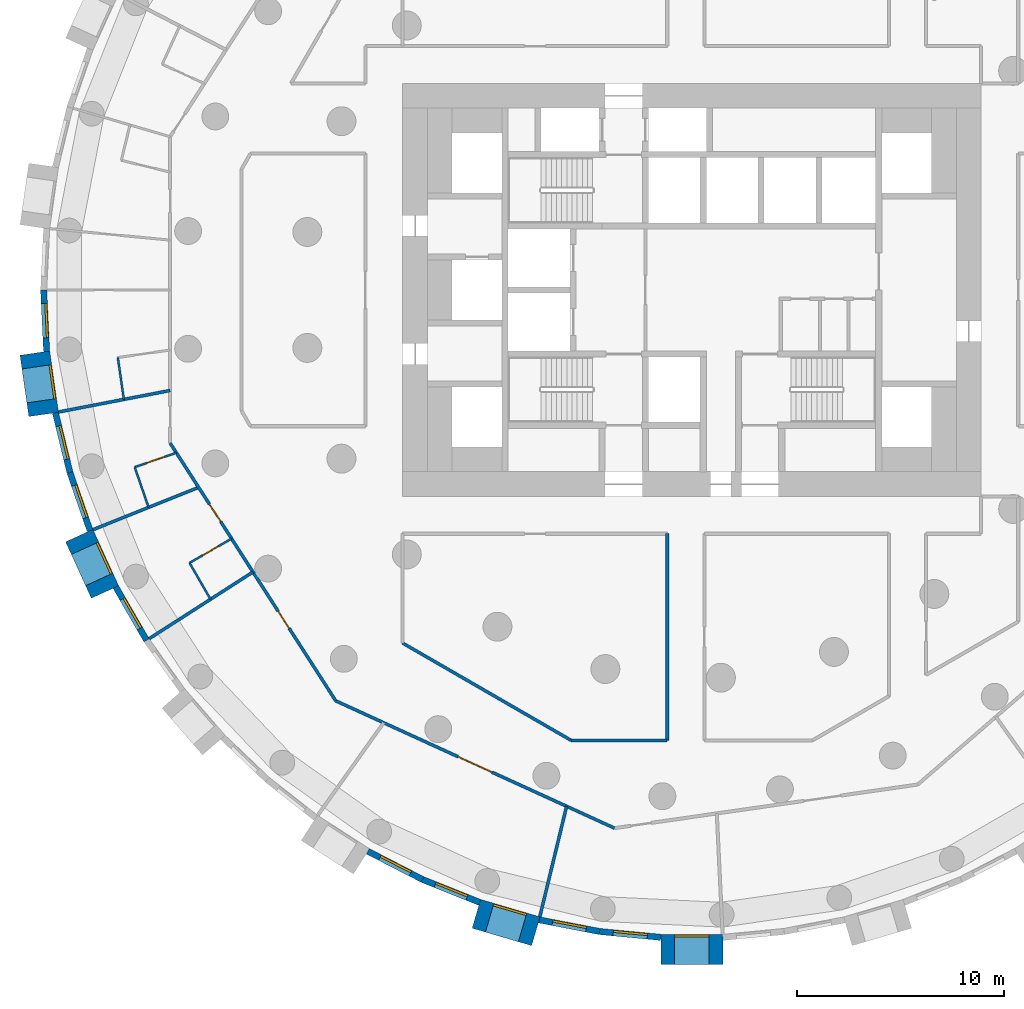
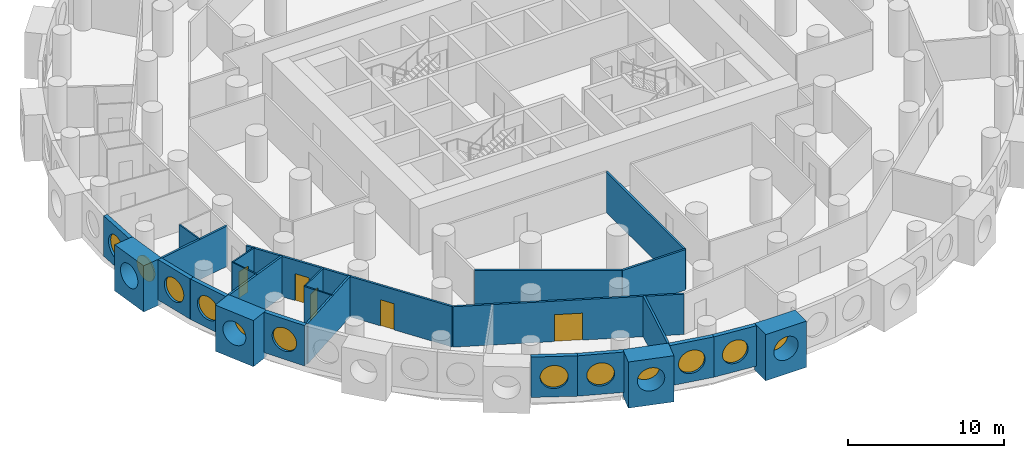
# One storey, part 3 of 12: 27 walls, 12 windows, 5 doors, 17 openings.
"""IFC4 building model written with IfcOpenShell, lengths in metres."""

from ifc_helpers import new_model, si_unit, direction, frame, frame_2d, origin, origin_2d, place, context, subcontext, project, spatial, rectangle, circle, extrude, material, layer, layer_set, type_object, element, fill, save


model = new_model("IFC4")

# Units and contexts
model_context = context("Model", 3, precision=1e-05, world=origin(), true_north=direction((0.0, 1.0)))
body_context = subcontext(model_context, "Body", "Model", "MODEL_VIEW")
ifc_project = project(units=[si_unit("LENGTHUNIT", "METRE"), si_unit("AREAUNIT", "SQUARE_METRE"), si_unit("VOLUMEUNIT", "CUBIC_METRE"), si_unit("PLANEANGLEUNIT", "RADIAN"), si_unit("MASSUNIT", "GRAM", prefix="KILO")], contexts=[model_context])

# Site, building, storey
site_placement = place(None, origin())
site = spatial("IfcSite", under=ifc_project, at=site_placement, CompositionType="ELEMENT")
building_placement = place(site_placement, origin())
building = spatial("IfcBuilding", under=site, at=building_placement, Name="Tracery Tower", CompositionType="ELEMENT")
storey_placement = place(building_placement, frame((0.0, 0.0, 111.0)))
storey = spatial("IfcBuildingStorey", under=building, at=storey_placement, Name="L28", CompositionType="ELEMENT", Elevation=111.0)

# Wall, opening, window
ifc_material_1 = material(Name="Precast concrete C50/60", Category="concrete")
ifc_layer_1 = layer(ifc_material_1, 1.449951171875)
ifc_layer_set_1 = layer_set([ifc_layer_1], Name="Deep-set bay unit 3000 x 3600, slab edge 450")
wall_type_1 = type_object("IfcWallType", Name="Deep-set bay unit 3000 x 3600, slab edge 450", PredefinedType="ELEMENTEDWALL", material=ifc_layer_set_1)
wall_1_placement = place(storey_placement, frame((-31.802490234375, -3.05712890625, -0.449951171875), z_axis=(0.0, 0.0, 1.0), x_axis=(0.142332746704, -0.989818866872, 0.0)))
wall_1 = element("IfcWall", 1, at=wall_1_placement, inside=storey, type_object=wall_type_1, Name="Deep-set bay unit 35 at L28", PredefinedType="ELEMENTEDWALL", context=body_context, shape_type="SweptSolid", body=[
    extrude(rectangle(XDim=3.0, YDim=1.449951171875, at=frame_2d((1.5, 0.0))), origin(), (0.0, 0.0, 1.0), 3.599853515625),
])
opening_1_placement = place(wall_1_placement, frame((1.5, 0.0, 2.0)))
opening_1 = element("IfcOpeningElement", 2, at=opening_1_placement, cuts=wall_1, Name="Opening WN1", PredefinedType="OPENING", context=body_context, shape_type="SweptSolid", body=[
    extrude(circle(Radius=0.9000244140625, at=origin_2d()), frame((0.0, 0.73486328125, 0.0), z_axis=(0.0, -1.0, 0.0), x_axis=(1.0, 0.0, 0.0)), (0.0, 0.0, 1.0), 1.469970703125),
])
ifc_material_2 = material(Name="Aluminium frame with tinted double glazing", Category="aluminium")
window_type = type_object("IfcWindowType", Name="Round window 1800", PartitioningType="SINGLE_PANEL", PredefinedType="WINDOW", material=ifc_material_2)
window_1_placement = place(opening_1_placement, origin())
window_1 = element("IfcWindow", 3, at=window_1_placement, inside=storey, type_object=window_type, Name="Round window 35 at L28", OverallHeight=1.800048828125, OverallWidth=1.800048828125, PartitioningType="SINGLE_PANEL", PredefinedType="WINDOW", context=body_context, shape_type="SweptSolid", body=[
    extrude(circle(Radius=0.9000244140625, at=origin_2d()), frame((0.0, 0.69482421875, 0.0), z_axis=(0.0, -1.0, 0.0), x_axis=(1.0, 0.0, 0.0)), (0.0, 0.0, 1.0), 0.10009765625),
])
fill(opening_1, window_1)

wall_2_placement = place(storey_placement, frame((-29.653076171875, -11.89306640625, -0.449951171875), z_axis=(0.0, 0.0, 1.0), x_axis=(0.415427028395, -0.909626508012, 0.0)))
wall_2 = element("IfcWall", 4, at=wall_2_placement, inside=storey, type_object=wall_type_1, Name="Deep-set bay unit 38 at L28", PredefinedType="ELEMENTEDWALL", context=body_context, shape_type="SweptSolid", body=[
    extrude(rectangle(XDim=3.000244140625, YDim=1.449951171875, at=frame_2d((1.5, 0.0))), origin(), (0.0, 0.0, 1.0), 3.599853515625),
])
opening_2_placement = place(wall_2_placement, frame((1.5, 0.0, 2.0)))
opening_2 = element("IfcOpeningElement", 5, at=opening_2_placement, cuts=wall_2, Name="Opening WN1", PredefinedType="OPENING", context=body_context, shape_type="SweptSolid", body=[
    extrude(circle(Radius=0.9000244140625, at=origin_2d()), frame((0.0, 0.73486328125, 0.0), z_axis=(0.0, -1.0, 0.0), x_axis=(1.0, 0.0, 0.0)), (0.0, 0.0, 1.0), 1.469970703125),
])
window_2_placement = place(opening_2_placement, origin())
window_2 = element("IfcWindow", 6, at=window_2_placement, inside=storey, type_object=window_type, Name="Round window 38 at L28", OverallHeight=1.800048828125, OverallWidth=1.800048828125, PartitioningType="SINGLE_PANEL", PredefinedType="WINDOW", context=body_context, shape_type="SweptSolid", body=[
    extrude(circle(Radius=0.9000244140625, at=origin_2d()), frame((0.0, 0.69482421875, 0.0), z_axis=(0.0, -1.0, 0.0), x_axis=(1.0, 0.0, 0.0)), (0.0, 0.0, 1.0), 0.10009765625),
])
fill(opening_2, window_2)

wall_3_placement = place(storey_placement, frame((-10.430419921875, -30.198486328125, -0.449951171875), z_axis=(0.0, 0.0, 1.0), x_axis=(0.959489813418, -0.281743319258, 0.0)))
wall_3 = element("IfcWall", 7, at=wall_3_placement, inside=storey, type_object=wall_type_1, Name="Deep-set bay unit 47 at L28", PredefinedType="ELEMENTEDWALL", context=body_context, shape_type="SweptSolid", body=[
    extrude(rectangle(XDim=3.0, YDim=1.449951171875, at=frame_2d((1.5, 0.0))), origin(), (0.0, 0.0, 1.0), 3.599853515625),
])
opening_3_placement = place(wall_3_placement, frame((1.5, 0.0, 2.0)))
opening_3 = element("IfcOpeningElement", 8, at=opening_3_placement, cuts=wall_3, Name="Opening WN1", PredefinedType="OPENING", context=body_context, shape_type="SweptSolid", body=[
    extrude(circle(Radius=0.9000244140625, at=origin_2d()), frame((0.0, 0.73486328125, 0.0), z_axis=(0.0, -1.0, 0.0), x_axis=(1.0, 0.0, 0.0)), (0.0, 0.0, 1.0), 1.469970703125),
])
window_3_placement = place(opening_3_placement, origin())
window_3 = element("IfcWindow", 9, at=window_3_placement, inside=storey, type_object=window_type, Name="Round window 47 at L28", OverallHeight=1.800048828125, OverallWidth=1.800048828125, PartitioningType="SINGLE_PANEL", PredefinedType="WINDOW", context=body_context, shape_type="SweptSolid", body=[
    extrude(circle(Radius=0.9000244140625, at=origin_2d()), frame((0.0, 0.69482421875, 0.0), z_axis=(0.0, -1.0, 0.0), x_axis=(1.0, 0.0, 0.0)), (0.0, 0.0, 1.0), 0.10009765625),
])
fill(opening_3, window_3)

wall_4_placement = place(storey_placement, frame((-1.5, -31.913818359375, -0.449951171875), z_axis=(0.0, 0.0, 1.0), x_axis=(1.0, 0.0, 0.0)))
wall_4 = element("IfcWall", 10, at=wall_4_placement, inside=storey, type_object=wall_type_1, Name="Deep-set bay unit 50 at L28", PredefinedType="ELEMENTEDWALL", context=body_context, shape_type="SweptSolid", body=[
    extrude(rectangle(XDim=3.0, YDim=1.449951171875, at=frame_2d((1.5, 0.0))), origin(), (0.0, 0.0, 1.0), 3.599853515625),
])
opening_4_placement = place(wall_4_placement, frame((1.5, 0.0, 2.0)))
opening_4 = element("IfcOpeningElement", 11, at=opening_4_placement, cuts=wall_4, Name="Opening WN1", PredefinedType="OPENING", context=body_context, shape_type="SweptSolid", body=[
    extrude(circle(Radius=0.9000244140625, at=origin_2d()), frame((0.0, 0.73486328125, 0.0), z_axis=(0.0, -1.0, 0.0), x_axis=(1.0, 0.0, 0.0)), (0.0, 0.0, 1.0), 1.469970703125),
])
window_4_placement = place(opening_4_placement, origin())
window_4 = element("IfcWindow", 12, at=window_4_placement, inside=storey, type_object=window_type, Name="Round window 50 at L28", OverallHeight=1.800048828125, OverallWidth=1.800048828125, PartitioningType="SINGLE_PANEL", PredefinedType="WINDOW", context=body_context, shape_type="SweptSolid", body=[
    extrude(circle(Radius=0.9000244140625, at=origin_2d()), frame((0.0, 0.69482421875, 0.0), z_axis=(0.0, -1.0, 0.0), x_axis=(1.0, 0.0, 0.0)), (0.0, 0.0, 1.0), 0.10009765625),
])
fill(opening_4, window_4)

ifc_material_3 = material(Name="Precast concrete C50/60", Category="concrete")
ifc_layer_2 = layer(ifc_material_3, 0.300048828125)
ifc_layer_set_2 = layer_set([ifc_layer_2], Name="Facade panel 3000 x 3150")
wall_type_2 = type_object("IfcWallType", Name="Facade panel 3000 x 3150", PredefinedType="SOLIDWALL", material=ifc_layer_set_2)
wall_5_placement = place(storey_placement, frame((-31.37451171875, 0.0, 0.0), z_axis=(0.0, 0.0, 1.0), x_axis=(0.047604077644, -0.998866283239, 0.0)))
wall_5 = element("IfcWall", 13, at=wall_5_placement, inside=storey, type_object=wall_type_2, Name="Facade panel 34 at L28", PredefinedType="SOLIDWALL", context=body_context, shape_type="SweptSolid", body=[
    extrude(rectangle(XDim=2.979736328125, YDim=0.300048828125, at=frame_2d((1.48974609375, 0.0))), origin(), (0.0, 0.0, 1.0), 3.14990234375),
])
opening_5_placement = place(wall_5_placement, frame((1.48974609375, 0.0, 1.5498046875)))
opening_5 = element("IfcOpeningElement", 14, at=opening_5_placement, cuts=wall_5, Name="Opening WN1", PredefinedType="OPENING", context=body_context, shape_type="SweptSolid", body=[
    extrude(circle(Radius=0.9000244140625, at=origin_2d()), frame((0.0, 0.159912109375, 0.0), z_axis=(0.0, -1.0, 0.0), x_axis=(1.0, 0.0, 0.0)), (0.0, 0.0, 1.0), 0.320068359375),
])
window_5_placement = place(opening_5_placement, origin())
window_5 = element("IfcWindow", 15, at=window_5_placement, inside=storey, type_object=window_type, Name="Round window 34 at L28", OverallHeight=1.800048828125, OverallWidth=1.800048828125, PartitioningType="SINGLE_PANEL", PredefinedType="WINDOW", context=body_context, shape_type="SweptSolid", body=[
    extrude(circle(Radius=0.9000244140625, at=origin_2d()), frame((0.0, 0.1201171875, 0.0), z_axis=(0.0, -1.0, 0.0), x_axis=(1.0, 0.0, 0.0)), (0.0, 0.0, 1.0), 0.10009765625),
])
fill(opening_5, window_5)

wall_6_placement = place(storey_placement, frame((-30.805908203125, -5.943603515625, 0.0), z_axis=(0.0, 0.0, 1.0), x_axis=(0.235743081534, -0.971815414319, 0.0)))
wall_6 = element("IfcWall", 16, at=wall_6_placement, inside=storey, type_object=wall_type_2, Name="Facade panel 36 at L28", PredefinedType="SOLIDWALL", context=body_context, shape_type="SweptSolid", body=[
    extrude(rectangle(XDim=2.9794921875, YDim=0.300048828125, at=frame_2d((1.48974609375, 0.0))), origin(), (0.0, 0.0, 1.0), 3.14990234375),
])
opening_6_placement = place(wall_6_placement, frame((1.48974609375, 0.0, 1.5498046875)))
opening_6 = element("IfcOpeningElement", 17, at=opening_6_placement, cuts=wall_6, Name="Opening WN1", PredefinedType="OPENING", context=body_context, shape_type="SweptSolid", body=[
    extrude(circle(Radius=0.9000244140625, at=origin_2d()), frame((0.0, 0.159912109375, 0.0), z_axis=(0.0, -1.0, 0.0), x_axis=(1.0, 0.0, 0.0)), (0.0, 0.0, 1.0), 0.320068359375),
])
window_6_placement = place(opening_6_placement, origin())
window_6 = element("IfcWindow", 18, at=window_6_placement, inside=storey, type_object=window_type, Name="Round window 36 at L28", OverallHeight=1.800048828125, OverallWidth=1.800048828125, PartitioningType="SINGLE_PANEL", PredefinedType="WINDOW", context=body_context, shape_type="SweptSolid", body=[
    extrude(circle(Radius=0.9000244140625, at=origin_2d()), frame((0.0, 0.1201171875, 0.0), z_axis=(0.0, -1.0, 0.0), x_axis=(1.0, 0.0, 0.0)), (0.0, 0.0, 1.0), 0.10009765625),
])
fill(opening_6, window_6)

wall_7_placement = place(storey_placement, frame((-30.103515625, -8.839111328125, 0.0), z_axis=(0.0, 0.0, 1.0), x_axis=(0.327071167136, -0.944999709856, 0.0)))
wall_7 = element("IfcWall", 19, at=wall_7_placement, inside=storey, type_object=wall_type_2, Name="Facade panel 37 at L28", PredefinedType="SOLIDWALL", context=body_context, shape_type="SweptSolid", body=[
    extrude(rectangle(XDim=2.979736328125, YDim=0.300048828125, at=frame_2d((1.48974609375, 0.0))), origin(), (0.0, 0.0, 1.0), 3.14990234375),
])
opening_7_placement = place(wall_7_placement, frame((1.48974609375, 0.0, 1.5498046875)))
opening_7 = element("IfcOpeningElement", 20, at=opening_7_placement, cuts=wall_7, Name="Opening WN1", PredefinedType="OPENING", context=body_context, shape_type="SweptSolid", body=[
    extrude(circle(Radius=0.9000244140625, at=origin_2d()), frame((0.0, 0.159912109375, 0.0), z_axis=(0.0, -1.0, 0.0), x_axis=(1.0, 0.0, 0.0)), (0.0, 0.0, 1.0), 0.320068359375),
])
window_7_placement = place(opening_7_placement, origin())
window_7 = element("IfcWindow", 21, at=window_7_placement, inside=storey, type_object=window_type, Name="Round window 37 at L28", OverallHeight=1.800048828125, OverallWidth=1.800048828125, PartitioningType="SINGLE_PANEL", PredefinedType="WINDOW", context=body_context, shape_type="SweptSolid", body=[
    extrude(circle(Radius=0.9000244140625, at=origin_2d()), frame((0.0, 0.1201171875, 0.0), z_axis=(0.0, -1.0, 0.0), x_axis=(1.0, 0.0, 0.0)), (0.0, 0.0, 1.0), 0.10009765625),
])
fill(opening_7, window_7)

wall_8_placement = place(storey_placement, frame((-27.8837890625, -14.3818359375, 0.0), z_axis=(0.0, 0.0, 1.0), x_axis=(0.500025049464, -0.866010940986, 0.0)))
wall_8 = element("IfcWall", 22, at=wall_8_placement, inside=storey, type_object=wall_type_2, Name="Facade panel 39 at L28", PredefinedType="SOLIDWALL", context=body_context, shape_type="SweptSolid", body=[
    extrude(rectangle(XDim=2.979736328125, YDim=0.300048828125, at=frame_2d((1.48974609375, 0.0))), origin(), (0.0, 0.0, 1.0), 3.14990234375),
])
opening_8_placement = place(wall_8_placement, frame((1.48974609375, 0.0, 1.5498046875)))
opening_8 = element("IfcOpeningElement", 23, at=opening_8_placement, cuts=wall_8, Name="Opening WN1", PredefinedType="OPENING", context=body_context, shape_type="SweptSolid", body=[
    extrude(circle(Radius=0.9000244140625, at=origin_2d()), frame((0.0, 0.159912109375, 0.0), z_axis=(0.0, -1.0, 0.0), x_axis=(1.0, 0.0, 0.0)), (0.0, 0.0, 1.0), 0.320068359375),
])
window_8_placement = place(opening_8_placement, origin())
window_8 = element("IfcWindow", 24, at=window_8_placement, inside=storey, type_object=window_type, Name="Round window 39 at L28", OverallHeight=1.800048828125, OverallWidth=1.800048828125, PartitioningType="SINGLE_PANEL", PredefinedType="WINDOW", context=body_context, shape_type="SweptSolid", body=[
    extrude(circle(Radius=0.9000244140625, at=origin_2d()), frame((0.0, 0.1201171875, 0.0), z_axis=(0.0, -1.0, 0.0), x_axis=(1.0, 0.0, 0.0)), (0.0, 0.0, 1.0), 0.10009765625),
])
fill(opening_8, window_8)

wall_9_placement = place(storey_placement, frame((-15.681884765625, -27.173828125, 0.0), z_axis=(0.0, 0.0, 1.0), x_axis=(0.888819853856, -0.458256770153, 0.0)))
wall_9 = element("IfcWall", 25, at=wall_9_placement, inside=storey, type_object=wall_type_2, Name="Facade panel 45 at L28", PredefinedType="SOLIDWALL", context=body_context, shape_type="SweptSolid", body=[
    extrude(rectangle(XDim=2.979736328125, YDim=0.300048828125, at=frame_2d((1.48974609375, 0.0))), origin(), (0.0, 0.0, 1.0), 3.14990234375),
])
opening_9_placement = place(wall_9_placement, frame((1.48974609375, 0.0, 1.5498046875)))
opening_9 = element("IfcOpeningElement", 26, at=opening_9_placement, cuts=wall_9, Name="Opening WN1", PredefinedType="OPENING", context=body_context, shape_type="SweptSolid", body=[
    extrude(circle(Radius=0.9000244140625, at=origin_2d()), frame((0.0, 0.159912109375, 0.0), z_axis=(0.0, -1.0, 0.0), x_axis=(1.0, 0.0, 0.0)), (0.0, 0.0, 1.0), 0.320068359375),
])
window_9_placement = place(opening_9_placement, origin())
window_9 = element("IfcWindow", 27, at=window_9_placement, inside=storey, type_object=window_type, Name="Round window 45 at L28", OverallHeight=1.800048828125, OverallWidth=1.800048828125, PartitioningType="SINGLE_PANEL", PredefinedType="WINDOW", context=body_context, shape_type="SweptSolid", body=[
    extrude(circle(Radius=0.9000244140625, at=origin_2d()), frame((0.0, 0.1201171875, 0.0), z_axis=(0.0, -1.0, 0.0), x_axis=(1.0, 0.0, 0.0)), (0.0, 0.0, 1.0), 0.10009765625),
])
fill(opening_9, window_9)

wall_10_placement = place(storey_placement, frame((-13.033447265625, -28.539306640625, 0.0), z_axis=(0.0, 0.0, 1.0), x_axis=(0.928403213937, -0.371574316054, 0.0)))
wall_10 = element("IfcWall", 28, at=wall_10_placement, inside=storey, type_object=wall_type_2, Name="Facade panel 46 at L28", PredefinedType="SOLIDWALL", context=body_context, shape_type="SweptSolid", body=[
    extrude(rectangle(XDim=2.979736328125, YDim=0.300048828125, at=frame_2d((1.48974609375, 0.0))), origin(), (0.0, 0.0, 1.0), 3.14990234375),
])
opening_10_placement = place(wall_10_placement, frame((1.48974609375, 0.0, 1.5498046875)))
opening_10 = element("IfcOpeningElement", 29, at=opening_10_placement, cuts=wall_10, Name="Opening WN1", PredefinedType="OPENING", context=body_context, shape_type="SweptSolid", body=[
    extrude(circle(Radius=0.9000244140625, at=origin_2d()), frame((0.0, 0.159912109375, 0.0), z_axis=(0.0, -1.0, 0.0), x_axis=(1.0, 0.0, 0.0)), (0.0, 0.0, 1.0), 0.320068359375),
])
window_10_placement = place(opening_10_placement, origin())
window_10 = element("IfcWindow", 30, at=window_10_placement, inside=storey, type_object=window_type, Name="Round window 46 at L28", OverallHeight=1.800048828125, OverallWidth=1.800048828125, PartitioningType="SINGLE_PANEL", PredefinedType="WINDOW", context=body_context, shape_type="SweptSolid", body=[
    extrude(circle(Radius=0.9000244140625, at=origin_2d()), frame((0.0, 0.1201171875, 0.0), z_axis=(0.0, -1.0, 0.0), x_axis=(1.0, 0.0, 0.0)), (0.0, 0.0, 1.0), 0.10009765625),
])
fill(opening_10, window_10)

wall_11_placement = place(storey_placement, frame((-7.390869140625, -30.4912109375, 0.0), z_axis=(0.0, 0.0, 1.0), x_axis=(0.981924535406, -0.189272836848, 0.0)))
wall_11 = element("IfcWall", 31, at=wall_11_placement, inside=storey, type_object=wall_type_2, Name="Facade panel 48 at L28", PredefinedType="SOLIDWALL", context=body_context, shape_type="SweptSolid", body=[
    extrude(rectangle(XDim=2.979736328125, YDim=0.300048828125, at=frame_2d((1.48974609375, 0.0))), origin(), (0.0, 0.0, 1.0), 3.14990234375),
])
opening_11_placement = place(wall_11_placement, frame((1.48974609375, 0.0, 1.5498046875)))
opening_11 = element("IfcOpeningElement", 32, at=opening_11_placement, cuts=wall_11, Name="Opening WN1", PredefinedType="OPENING", context=body_context, shape_type="SweptSolid", body=[
    extrude(circle(Radius=0.9000244140625, at=origin_2d()), frame((0.0, 0.159912109375, 0.0), z_axis=(0.0, -1.0, 0.0), x_axis=(1.0, 0.0, 0.0)), (0.0, 0.0, 1.0), 0.320068359375),
])
window_11_placement = place(opening_11_placement, origin())
window_11 = element("IfcWindow", 33, at=window_11_placement, inside=storey, type_object=window_type, Name="Round window 48 at L28", OverallHeight=1.800048828125, OverallWidth=1.800048828125, PartitioningType="SINGLE_PANEL", PredefinedType="WINDOW", context=body_context, shape_type="SweptSolid", body=[
    extrude(circle(Radius=0.9000244140625, at=origin_2d()), frame((0.0, 0.1201171875, 0.0), z_axis=(0.0, -1.0, 0.0), x_axis=(1.0, 0.0, 0.0)), (0.0, 0.0, 1.0), 0.10009765625),
])
fill(opening_11, window_11)

wall_12_placement = place(storey_placement, frame((-4.465087890625, -31.05517578125, 0.0), z_axis=(0.0, 0.0, 1.0), x_axis=(0.995473351551, -0.095041077185, 0.0)))
wall_12 = element("IfcWall", 34, at=wall_12_placement, inside=storey, type_object=wall_type_2, Name="Facade panel 49 at L28", PredefinedType="SOLIDWALL", context=body_context, shape_type="SweptSolid", body=[
    extrude(rectangle(XDim=2.979736328125, YDim=0.300048828125, at=frame_2d((1.48974609375, 0.0))), origin(), (0.0, 0.0, 1.0), 3.14990234375),
])
opening_12_placement = place(wall_12_placement, frame((1.48974609375, 0.0, 1.5498046875)))
opening_12 = element("IfcOpeningElement", 35, at=opening_12_placement, cuts=wall_12, Name="Opening WN1", PredefinedType="OPENING", context=body_context, shape_type="SweptSolid", body=[
    extrude(circle(Radius=0.9000244140625, at=origin_2d()), frame((0.0, 0.159912109375, 0.0), z_axis=(0.0, -1.0, 0.0), x_axis=(1.0, 0.0, 0.0)), (0.0, 0.0, 1.0), 0.320068359375),
])
window_12_placement = place(opening_12_placement, origin())
window_12 = element("IfcWindow", 36, at=window_12_placement, inside=storey, type_object=window_type, Name="Round window 49 at L28", OverallHeight=1.800048828125, OverallWidth=1.800048828125, PartitioningType="SINGLE_PANEL", PredefinedType="WINDOW", context=body_context, shape_type="SweptSolid", body=[
    extrude(circle(Radius=0.9000244140625, at=origin_2d()), frame((0.0, 0.1201171875, 0.0), z_axis=(0.0, -1.0, 0.0), x_axis=(1.0, 0.0, 0.0)), (0.0, 0.0, 1.0), 0.10009765625),
])
fill(opening_12, window_12)

# Wall
ifc_material_4 = material(Name="Plasterboard on steel studs", Category="steel")
ifc_layer_3 = layer(ifc_material_4, 0.10009765625)
ifc_layer_set_3 = layer_set([ifc_layer_3], Name="Partition 100 wet wall")
wall_type_3 = type_object("IfcWallType", Name="Partition 100 wet wall", PredefinedType="PARTITIONING", material=ifc_layer_set_3)
wall_13_placement = place(storey_placement, frame((-27.784912109375, -3.27294921875, 0.0), z_axis=(0.0, 0.0, 1.0), x_axis=(0.142640130423, -0.989774617372, 0.0)))
element("IfcWall", 37, at=wall_13_placement, inside=storey, type_object=wall_type_3, Name="Wet wall RA8-104", PredefinedType="PARTITIONING", context=body_context, shape_type="SweptSolid", body=[
    extrude(rectangle(XDim=2.047119140625, YDim=0.10009765625, at=frame_2d((1.0234375, 0.0))), origin(), (0.0, 0.0, 1.0), 3.14990234375),
])

# Wall, opening, door
wall_14_placement = place(storey_placement, frame((-26.968994140625, -8.577880859375, 0.0), z_axis=(0.0, 0.0, 1.0), x_axis=(0.945146525342, 0.326646667877, 0.0)))
wall_14 = element("IfcWall", 38, at=wall_14_placement, inside=storey, type_object=wall_type_3, Name="Wet wall RA8-106", PredefinedType="PARTITIONING", context=body_context, shape_type="SweptSolid", body=[
    extrude(rectangle(XDim=2.133056640625, YDim=0.10009765625, at=frame_2d((1.06640625, 0.0))), origin(), (0.0, 0.0, 1.0), 3.14990234375),
])
opening_13_placement = place(wall_14_placement, frame((0.6162109375, 0.0, 0.0)))
opening_13 = element("IfcOpeningElement", 39, at=opening_13_placement, cuts=wall_14, Name="Opening RA8-40", PredefinedType="OPENING", context=body_context, shape_type="SweptSolid", body=[
    extrude(rectangle(XDim=0.89990234375, YDim=2.0400390625, at=frame_2d((0.449951171875, 1.02001953125))), frame((0.0, 0.050048828125, 0.0), z_axis=(0.0, -1.0, 0.0), x_axis=(1.0, 0.0, 0.0)), (0.0, 0.0, 1.0), 0.10009765625),
])
ifc_material_5 = material(Name="Timber door leaf", Category="wood")
door_type_1 = type_object("IfcDoorType", Name="Door en-suite 900", OperationType="NOTDEFINED", PredefinedType="DOOR", material=ifc_material_5)
door_1_placement = place(opening_13_placement, origin())
door_1 = element("IfcDoor", 40, at=door_1_placement, inside=storey, type_object=door_type_1, Name="En-suite door RA8-40", OperationType="SINGLE_SWING_RIGHT", OverallHeight=2.0400390625, OverallWidth=0.89990234375, PredefinedType="DOOR", context=body_context, shape_type="SweptSolid", body=[
    extrude(rectangle(XDim=0.89990234375, YDim=2.0400390625, at=frame_2d((0.449951171875, 1.02001953125))), frame((0.0, 0.02490234375, 0.0), z_axis=(0.0, -1.0, 0.0), x_axis=(1.0, 0.0, 0.0)), (0.0, 0.0, 1.0), 0.050048828125),
])
fill(opening_13, door_1)

# Wall
wall_15_placement = place(storey_placement, frame((-26.968994140625, -8.577880859375, 0.0), z_axis=(0.0, 0.0, 1.0), x_axis=(0.326825955114, -0.945084543871, 0.0)))
element("IfcWall", 41, at=wall_15_placement, inside=storey, type_object=wall_type_3, Name="Wet wall RA8-107", PredefinedType="PARTITIONING", context=body_context, shape_type="SweptSolid", body=[
    extrude(rectangle(XDim=2.0625, YDim=0.10009765625, at=frame_2d((1.03125, 0.0))), origin(), (0.0, 0.0, 1.0), 3.14990234375),
])

# Wall, opening, door
wall_16_placement = place(storey_placement, frame((-24.31396484375, -13.212890625, 0.0), z_axis=(0.0, 0.0, 1.0), x_axis=(0.866007195875, 0.500031535699, 0.0)))
wall_16 = element("IfcWall", 42, at=wall_16_placement, inside=storey, type_object=wall_type_3, Name="Wet wall RA8-109", PredefinedType="PARTITIONING", context=body_context, shape_type="SweptSolid", body=[
    extrude(rectangle(XDim=2.347412109375, YDim=0.10009765625, at=frame_2d((1.173828125, 0.0))), origin(), (0.0, 0.0, 1.0), 3.14990234375),
])
opening_14_placement = place(wall_16_placement, frame((0.7236328125, 0.0, 0.0)))
opening_14 = element("IfcOpeningElement", 43, at=opening_14_placement, cuts=wall_16, Name="Opening RA8-42", PredefinedType="OPENING", context=body_context, shape_type="SweptSolid", body=[
    extrude(rectangle(XDim=0.89990234375, YDim=2.0400390625, at=frame_2d((0.449951171875, 1.02001953125))), frame((0.0, 0.050048828125, 0.0), z_axis=(0.0, -1.0, 0.0), x_axis=(1.0, 0.0, 0.0)), (0.0, 0.0, 1.0), 0.10009765625),
])
door_2_placement = place(opening_14_placement, origin())
door_2 = element("IfcDoor", 44, at=door_2_placement, inside=storey, type_object=door_type_1, Name="En-suite door RA8-42", OperationType="SINGLE_SWING_RIGHT", OverallHeight=2.0400390625, OverallWidth=0.89990234375, PredefinedType="DOOR", context=body_context, shape_type="SweptSolid", body=[
    extrude(rectangle(XDim=0.89990234375, YDim=2.0400390625, at=frame_2d((0.449951171875, 1.02001953125))), frame((0.0, 0.02490234375, 0.0), z_axis=(0.0, -1.0, 0.0), x_axis=(1.0, 0.0, 0.0)), (0.0, 0.0, 1.0), 0.050048828125),
])
fill(opening_14, door_2)

# Walls
wall_17_placement = place(storey_placement, frame((-24.31396484375, -13.212890625, 0.0), z_axis=(0.0, 0.0, 1.0), x_axis=(0.499899251727, -0.866083563014, 0.0)))
element("IfcWall", 45, at=wall_17_placement, inside=storey, type_object=wall_type_3, Name="Wet wall RA8-110", PredefinedType="PARTITIONING", context=body_context, shape_type="SweptSolid", body=[
    extrude(rectangle(XDim=2.0322265625, YDim=0.10009765625, at=frame_2d((1.01611328125, 0.0))), origin(), (0.0, 0.0, 1.0), 3.14990234375),
])
ifc_material_6 = material(Name="Plasterboard on steel studs", Category="steel")
ifc_layer_4 = layer(ifc_material_6, 0.14990234375)
ifc_layer_set_4 = layer_set([ifc_layer_4], Name="Partition 150 acoustic unit wall")
wall_type_4 = type_object("IfcWallType", Name="Partition 150 acoustic unit wall", PredefinedType="PARTITIONING", material=ifc_layer_set_4)
wall_18_placement = place(storey_placement, frame((-30.659912109375, -5.908935546875, 0.0), z_axis=(0.0, 0.0, 1.0), x_axis=(0.981949161207, 0.189145036425, 0.0)))
element("IfcWall", 46, at=wall_18_placement, inside=storey, type_object=wall_type_4, Name="Unit wall RA8-105", PredefinedType="PARTITIONING", context=body_context, shape_type="SweptSolid", body=[
    extrude(rectangle(XDim=5.50634765625, YDim=0.14990234375, at=frame_2d((2.753173828125, 0.0))), origin(), (0.0, 0.0, 1.0), 3.14990234375),
])
wall_19_placement = place(storey_placement, frame((-28.988037109375, -11.60498046875, 0.0), z_axis=(0.0, 0.0, 1.0), x_axis=(0.928372711727, 0.371650518795, 0.0)))
element("IfcWall", 47, at=wall_19_placement, inside=storey, type_object=wall_type_4, Name="Unit wall RA8-108", PredefinedType="PARTITIONING", context=body_context, shape_type="SweptSolid", body=[
    extrude(rectangle(XDim=5.507568359375, YDim=0.14990234375, at=frame_2d((2.75390625, 0.0))), origin(), (0.0, 0.0, 1.0), 3.14990234375),
])
wall_20_placement = place(storey_placement, frame((-26.26806640625, -16.881103515625, 0.0), z_axis=(0.0, 0.0, 1.0), x_axis=(0.841333855553, 0.540515812443, 0.0)))
element("IfcWall", 48, at=wall_20_placement, inside=storey, type_object=wall_type_4, Name="Unit wall RA8-111", PredefinedType="PARTITIONING", context=body_context, shape_type="SweptSolid", body=[
    extrude(rectangle(XDim=5.9716796875, YDim=0.14990234375, at=frame_2d((2.98583984375, 0.0))), origin(), (0.0, 0.0, 1.0), 3.14990234375),
])
wall_21_placement = place(storey_placement, frame((-7.361083984375, -30.343994140625, 0.0), z_axis=(0.0, 0.0, 1.0), x_axis=(0.235707871895, 0.971823954802, 0.0)))
element("IfcWall", 49, at=wall_21_placement, inside=storey, type_object=wall_type_4, Name="Unit wall RA8-113", PredefinedType="PARTITIONING", context=body_context, shape_type="SweptSolid", body=[
    extrude(rectangle(XDim=5.50732421875, YDim=0.14990234375, at=frame_2d((2.753662109375, 0.0))), origin(), (0.0, 0.0, 1.0), 3.14990234375),
])

# Wall, opening, door
ifc_material_7 = material(Name="Plasterboard on steel studs", Category="steel")
ifc_layer_5 = layer(ifc_material_7, 0.14990234375)
ifc_layer_set_5 = layer_set([ifc_layer_5], Name="Partition 150 corridor wall")
wall_type_5 = type_object("IfcWallType", Name="Partition 150 corridor wall", PredefinedType="PARTITIONING", material=ifc_layer_set_5)
wall_22_placement = place(storey_placement, frame((-25.2529296875, -7.4150390625, 0.0), z_axis=(0.0, 0.0, 1.0), x_axis=(0.541385585623, -0.840774433293, 0.0)))
wall_22 = element("IfcWall", 50, at=wall_22_placement, inside=storey, type_object=wall_type_5, Name="Corridor wall RA8-046", PredefinedType="PARTITIONING", context=body_context, shape_type="SweptSolid", body=[
    extrude(rectangle(XDim=5.500244140625, YDim=0.14990234375, at=frame_2d((2.75, 0.0))), origin(), (0.0, 0.0, 1.0), 3.14990234375),
])
opening_15_placement = place(wall_22_placement, frame((3.522216796875, 0.0, 0.0)))
opening_15 = element("IfcOpeningElement", 51, at=opening_15_placement, cuts=wall_22, Name="Opening RA8-43", PredefinedType="OPENING", context=body_context, shape_type="SweptSolid", body=[
    extrude(rectangle(XDim=1.0, YDim=2.10009765625, at=frame_2d((0.5, 1.050048828125))), frame((0.0, 0.074951171875, 0.0), z_axis=(0.0, -1.0, 0.0), x_axis=(1.0, 0.0, 0.0)), (0.0, 0.0, 1.0), 0.14990234375),
])
ifc_material_8 = material(Name="Timber door leaf", Category="wood")
door_type_2 = type_object("IfcDoorType", Name="Door unit entrance 1000", OperationType="NOTDEFINED", PredefinedType="DOOR", material=ifc_material_8)
door_3_placement = place(opening_15_placement, origin())
door_3 = element("IfcDoor", 52, at=door_3_placement, inside=storey, type_object=door_type_2, Name="Unit entrance door RA8-43", OperationType="SINGLE_SWING_LEFT", OverallHeight=2.10009765625, OverallWidth=1.0, PredefinedType="DOOR", context=body_context, shape_type="SweptSolid", body=[
    extrude(rectangle(XDim=1.0, YDim=2.10009765625, at=frame_2d((0.5, 1.050048828125))), frame((0.0, 0.02490234375, 0.0), z_axis=(0.0, -1.0, 0.0), x_axis=(1.0, 0.0, 0.0)), (0.0, 0.0, 1.0), 0.050048828125),
])
fill(opening_15, door_3)

wall_23_placement = place(storey_placement, frame((-22.282958984375, -12.035888671875, 0.0), z_axis=(0.0, 0.0, 1.0), x_axis=(0.540591053907, -0.841285511842, 0.0)))
wall_23 = element("IfcWall", 53, at=wall_23_placement, inside=storey, type_object=wall_type_5, Name="Corridor wall RA8-047", PredefinedType="PARTITIONING", context=body_context, shape_type="SweptSolid", body=[
    extrude(rectangle(XDim=9.336181640625, YDim=0.14990234375, at=frame_2d((4.66796875, 0.0))), origin(), (0.0, 0.0, 1.0), 3.14990234375),
])
opening_16_placement = place(wall_23_placement, frame((4.167236328125, 0.0, 0.0)))
opening_16 = element("IfcOpeningElement", 54, at=opening_16_placement, cuts=wall_23, Name="Opening RA8-44", PredefinedType="OPENING", context=body_context, shape_type="SweptSolid", body=[
    extrude(rectangle(XDim=1.0, YDim=2.0400390625, at=frame_2d((0.5, 1.02001953125))), frame((0.0, 0.074951171875, 0.0), z_axis=(0.0, -1.0, 0.0), x_axis=(1.0, 0.0, 0.0)), (0.0, 0.0, 1.0), 0.14990234375),
])
ifc_material_9 = material(Name="Timber door leaf", Category="wood")
door_type_3 = type_object("IfcDoorType", Name="Door communal room 1000", OperationType="NOTDEFINED", PredefinedType="DOOR", material=ifc_material_9)
door_4_placement = place(opening_16_placement, origin())
door_4 = element("IfcDoor", 55, at=door_4_placement, inside=storey, type_object=door_type_3, Name="Communal room door RA8-44", OperationType="SINGLE_SWING_LEFT", OverallHeight=2.0400390625, OverallWidth=1.0, PredefinedType="DOOR", context=body_context, shape_type="SweptSolid", body=[
    extrude(rectangle(XDim=1.0, YDim=2.0400390625, at=frame_2d((0.5, 1.02001953125))), frame((0.0, 0.02490234375, 0.0), z_axis=(0.0, -1.0, 0.0), x_axis=(1.0, 0.0, 0.0)), (0.0, 0.0, 1.0), 0.050048828125),
])
fill(opening_16, door_4)

# Walls
wall_24_placement = place(storey_placement, frame((-14.0, -17.092041015625, 0.0), z_axis=(0.0, 0.0, 1.0), x_axis=(0.86602719091, -0.499996904595, 0.0)))
element("IfcWall", 56, at=wall_24_placement, inside=storey, type_object=wall_type_5, Name="Corridor wall RA8-048", PredefinedType="PARTITIONING", context=body_context, shape_type="SweptSolid", body=[
    extrude(rectangle(XDim=9.419921875, YDim=0.14990234375, at=frame_2d((4.7099609375, 0.0))), origin(), (0.0, 0.0, 1.0), 3.14990234375),
])
wall_25_placement = place(storey_placement, frame((-5.842041015625, -21.802001953125, 0.0), z_axis=(0.0, 0.0, 1.0), x_axis=(1.0, 0.0, 0.0)))
element("IfcWall", 57, at=wall_25_placement, inside=storey, type_object=wall_type_5, Name="Corridor wall RA8-049", PredefinedType="PARTITIONING", context=body_context, shape_type="SweptSolid", body=[
    extrude(rectangle(XDim=4.650146484375, YDim=0.14990234375, at=frame_2d((2.3251953125, 0.0))), origin(), (0.0, 0.0, 1.0), 3.14990234375),
])
wall_26_placement = place(storey_placement, frame((-1.19189453125, -21.802001953125, 0.0), z_axis=(0.0, 0.0, 1.0), x_axis=(0.0, 1.0, 0.0)))
element("IfcWall", 58, at=wall_26_placement, inside=storey, type_object=wall_type_5, Name="Corridor wall RA8-050", PredefinedType="PARTITIONING", context=body_context, shape_type="SweptSolid", body=[
    extrude(rectangle(XDim=10.001953125, YDim=0.14990234375, at=frame_2d((5.0009765625, 0.0))), origin(), (0.0, 0.0, 1.0), 3.14990234375),
])

# Wall, opening, door
wall_27_placement = place(storey_placement, frame((-17.235107421875, -19.889892578125, 0.0), z_axis=(0.0, 0.0, 1.0), x_axis=(0.909624174921, -0.415432136936, 0.0)))
wall_27 = element("IfcWall", 59, at=wall_27_placement, inside=storey, type_object=wall_type_5, Name="Corridor wall RA8-057", PredefinedType="PARTITIONING", context=body_context, shape_type="SweptSolid", body=[
    extrude(rectangle(XDim=14.82958984375, YDim=0.14990234375, at=frame_2d((7.414794921875, 0.0))), origin(), (0.0, 0.0, 1.0), 3.14990234375),
])
opening_17_placement = place(wall_27_placement, frame((6.515380859375, 0.0, 0.0)))
opening_17 = element("IfcOpeningElement", 60, at=opening_17_placement, cuts=wall_27, Name="Opening RA8-45", PredefinedType="OPENING", context=body_context, shape_type="SweptSolid", body=[
    extrude(rectangle(XDim=1.800048828125, YDim=2.10009765625, at=frame_2d((0.89990234375, 1.050048828125))), frame((0.0, 0.074951171875, 0.0), z_axis=(0.0, -1.0, 0.0), x_axis=(1.0, 0.0, 0.0)), (0.0, 0.0, 1.0), 0.14990234375),
])
ifc_material_10 = material(Name="Timber door leaf", Category="wood")
door_type_4 = type_object("IfcDoorType", Name="Door double lounge 1800", OperationType="NOTDEFINED", PredefinedType="DOOR", material=ifc_material_10)
door_5_placement = place(opening_17_placement, origin())
door_5 = element("IfcDoor", 61, at=door_5_placement, inside=storey, type_object=door_type_4, Name="Double lounge door RA8-45", OperationType="DOUBLE_DOOR_SINGLE_SWING", OverallHeight=2.10009765625, OverallWidth=1.800048828125, PredefinedType="DOOR", context=body_context, shape_type="SweptSolid", body=[
    extrude(rectangle(XDim=1.800048828125, YDim=2.10009765625, at=frame_2d((0.89990234375, 1.050048828125))), frame((0.0, 0.02490234375, 0.0), z_axis=(0.0, -1.0, 0.0), x_axis=(1.0, 0.0, 0.0)), (0.0, 0.0, 1.0), 0.050048828125),
])
fill(opening_17, door_5)

save(model, "model.ifc")
